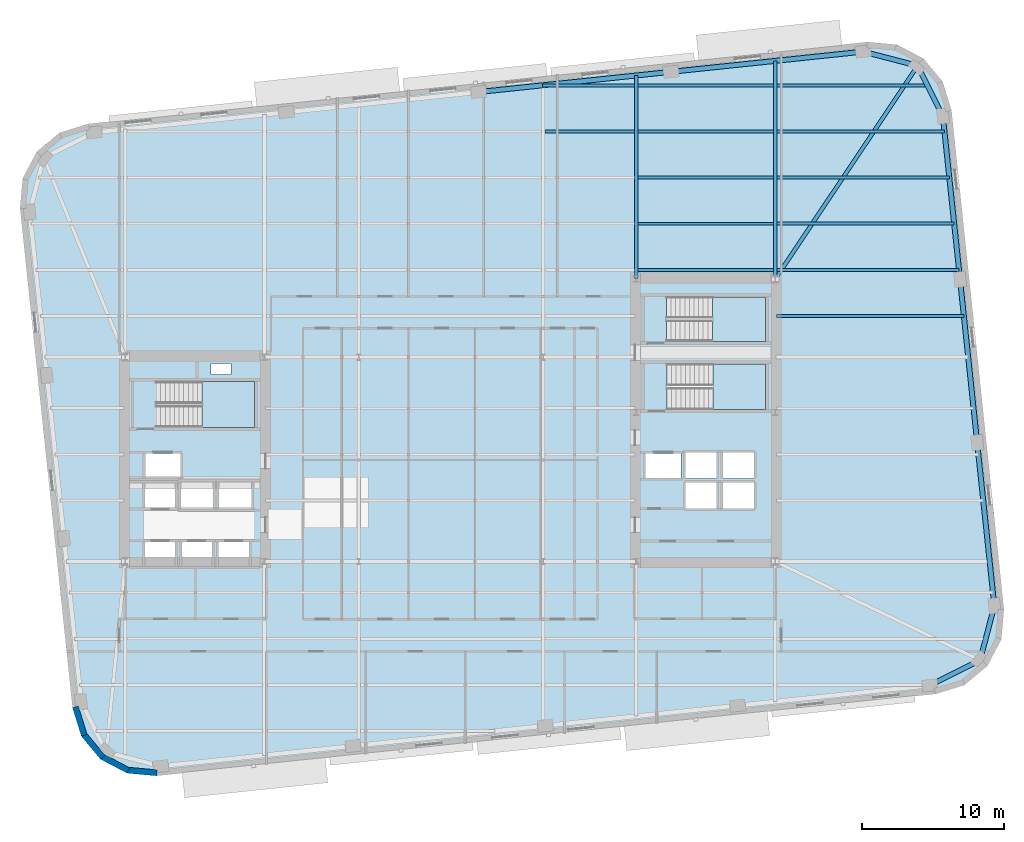
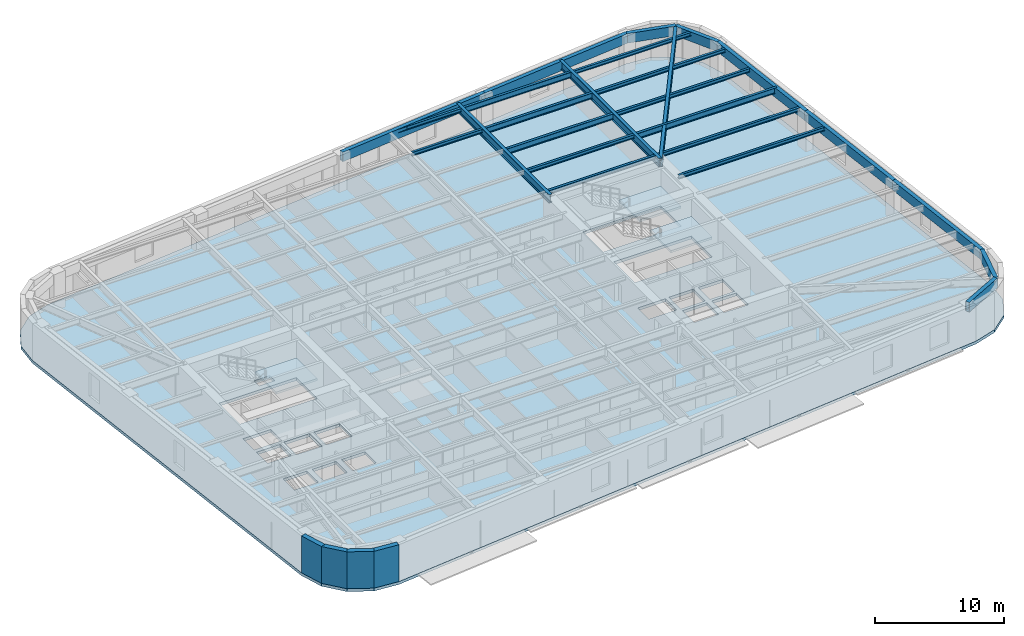
# One storey, part 3 of 13: 25 beams, 4 slabs, 4 walls, 3 elements without a shape of their own.
"""IFC4 building model written with IfcOpenShell, lengths in metres."""

import ifcopenshell
import ifcopenshell.guid

model = None  # the IFC model being written
_history = None  # IfcOwnerHistory: only IFC2X3 demands one
_inside = {}  # id of a spatial element -> (the spatial element, [elements in it])
_under = {}  # id of a project, library or spatial element -> (it, [spatial elements below it])
_declared = {}  # id of a project -> (the project, [libraries it declares])
_typed = {}  # id of a type object -> (the type object, [elements of that type])
_made_of = {}  # id of a material, layer set ... -> (it, [elements and type objects made of it])


def new_model(schema):
    """Start an empty IFC model of exactly this schema.

    Asked for "IFC4X3", IfcOpenShell would pick the latest addendum, in which some entities
    have other attributes; the version numbers below select the first issue.
    IFC2X3 requires an IfcOwnerHistory on every rooted entity: one is made here for all.
    """
    global model, _history
    if schema == "IFC4X3":
        model = ifcopenshell.file(schema_version=(4, 3, 0, 0))
    else:
        model = ifcopenshell.file(schema=schema)
    _inside.clear()
    _under.clear()
    _declared.clear()
    _typed.clear()
    _made_of.clear()
    _history = None
    if model.schema == "IFC2X3":
        org = make("IfcOrganization", Name="unknown")
        user = make(
            "IfcPersonAndOrganization",
            ThePerson=make("IfcPerson", FamilyName="unknown"),
            TheOrganization=org,
        )
        app = make(
            "IfcApplication",
            ApplicationDeveloper=org,
            Version="unknown",
            ApplicationFullName="unknown",
            ApplicationIdentifier="unknown",
        )
        _history = make(
            "IfcOwnerHistory",
            OwningUser=user,
            OwningApplication=app,
            ChangeAction="ADDED",
            CreationDate=0,
        )
    return model


def make(cls, **values):
    """One entity of the class cls with the attributes given. An attribute that is None is left unset."""
    return model.create_entity(
        cls, **{name: value for name, value in values.items() if value is not None}
    )


def rooted(cls, **values):
    """An entity with a GlobalId (a new one), such as an element, a storey or a relation."""
    return make(cls, GlobalId=ifcopenshell.guid.new(), OwnerHistory=_history, **values)


def si_unit(unit_type, name, prefix=None):
    """IfcSIUnit, for example si_unit("LENGTHUNIT", "METRE", prefix="MILLI")."""
    return make("IfcSIUnit", UnitType=unit_type, Prefix=prefix, Name=name)


def assignment(units):
    """IfcUnitAssignment: the units of a project."""
    return None if units is None else make("IfcUnitAssignment", Units=units)


def point(xyz):
    """IfcCartesianPoint."""
    return None if xyz is None else make("IfcCartesianPoint", Coordinates=xyz)


def direction(xyz):
    """IfcDirection."""
    return None if xyz is None else make("IfcDirection", DirectionRatios=xyz)


def frame(location, z_axis=None, x_axis=None):
    """IfcAxis2Placement3D, a coordinate frame: its origin and axes. An axis left out is left unset."""
    return make(
        "IfcAxis2Placement3D",
        Location=point(location),
        Axis=direction(z_axis),
        RefDirection=direction(x_axis),
    )


def frame_2d(location, x_axis=None):
    """IfcAxis2Placement2D, a coordinate frame in the plane: its origin and x axis."""
    return make(
        "IfcAxis2Placement2D", Location=point(location), RefDirection=direction(x_axis)
    )


def origin():
    """The frame at (0, 0, 0) with its axes left unset."""
    return frame((0.0, 0.0, 0.0))


def origin_2d():
    """The frame at (0, 0) in the plane with its x axis left unset."""
    return frame_2d((0.0, 0.0))


def place(relative_to, where):
    """IfcLocalPlacement: puts the frame where relative to a parent placement (None: the world)."""
    return make(
        "IfcLocalPlacement", PlacementRelTo=relative_to, RelativePlacement=where
    )


def context(
    kind, dimensions, precision=None, world=None, true_north=None, identifier=None
):
    """IfcGeometricRepresentationContext, for example the 3D "Model" context."""
    return make(
        "IfcGeometricRepresentationContext",
        ContextIdentifier=identifier,
        ContextType=kind,
        CoordinateSpaceDimension=dimensions,
        Precision=precision,
        WorldCoordinateSystem=world,
        TrueNorth=true_north,
    )


def subcontext(parent, identifier, kind, view, scale=None):
    """IfcGeometricRepresentationSubContext, for example "Body" below "Model"."""
    return make(
        "IfcGeometricRepresentationSubContext",
        ContextIdentifier=identifier,
        ContextType=kind,
        ParentContext=parent,
        TargetScale=scale,
        TargetView=view,
    )


def project(units=None, contexts=None):
    """IfcProject with its units and contexts."""
    return rooted(
        "IfcProject",
        Name="project",
        RepresentationContexts=contexts,
        UnitsInContext=assignment(units),
    )


def spatial(cls, under=None, at=None, **own):
    """A site, building, storey or space (cls), placed at a placement, below another one or the project."""
    s = rooted(cls, ObjectPlacement=at, **own)
    if under is not None:
        _under.setdefault(under.id(), (under, []))[1].append(s)
    return s


def polyline(points):
    """IfcPolyline through the points."""
    return make("IfcPolyline", Points=[point(p) for p in points])


def profile(cls, at=None, kind="AREA", **sizes):
    """A parametric profile (cls). Its sizes go by their IFC names, for example OverallWidth=200.0."""
    return make(cls, ProfileType=kind, Position=at, **sizes)


def rectangle(**sizes):
    """IfcRectangleProfileDef."""
    return profile("IfcRectangleProfileDef", **sizes)


def hollow_rectangle(**sizes):
    """IfcRectangleHollowProfileDef."""
    return profile("IfcRectangleHollowProfileDef", **sizes)


def i_section(**sizes):
    """IfcIShapeProfileDef."""
    return profile("IfcIShapeProfileDef", **sizes)


def outline(outer, holes=None, kind="AREA"):
    """IfcArbitraryClosedProfileDef: a profile drawn as a closed curve; with holes, ...WithVoids."""
    if holes is None:
        return make("IfcArbitraryClosedProfileDef", ProfileType=kind, OuterCurve=outer)
    return make(
        "IfcArbitraryProfileDefWithVoids",
        ProfileType=kind,
        OuterCurve=outer,
        InnerCurves=holes,
    )


def extrude(swept, where, along, depth):
    """IfcExtrudedAreaSolid: the profile swept, set in the frame where, extruded along a direction by depth."""
    return make(
        "IfcExtrudedAreaSolid",
        SweptArea=swept,
        Position=where,
        ExtrudedDirection=direction(along),
        Depth=depth,
    )


def shape(context_of_items, identifier, shape_type, items):
    """IfcShapeRepresentation: the items that make up one representation, for example the "Body"."""
    return make(
        "IfcShapeRepresentation",
        ContextOfItems=context_of_items,
        RepresentationIdentifier=identifier,
        RepresentationType=shape_type,
        Items=items,
    )


def material(Name=None, Category=None):
    """IfcMaterial."""
    return make("IfcMaterial", Name=Name, Category=Category)


def layer(
    of_material, thickness, ventilated=None, Name=None, Category=None, Priority=None
):
    """IfcMaterialLayer: one layer of a wall or slab, of a material (None: an air gap)."""
    return make(
        "IfcMaterialLayer",
        Material=of_material,
        LayerThickness=thickness,
        IsVentilated=ventilated,
        Name=Name,
        Category=Category,
        Priority=Priority,
    )


def layer_set(layers, Name=None):
    """IfcMaterialLayerSet."""
    return make("IfcMaterialLayerSet", MaterialLayers=layers, LayerSetName=Name)


def material_profile(
    of_material, cross_section, Name=None, Category=None, Priority=None
):
    """IfcMaterialProfile: a cross section and its material."""
    return make(
        "IfcMaterialProfile",
        Name=Name,
        Material=of_material,
        Profile=cross_section,
        Priority=Priority,
        Category=Category,
    )


def profile_set(profiles, Name=None, composite=None):
    """IfcMaterialProfileSet."""
    return make(
        "IfcMaterialProfileSet",
        Name=Name,
        MaterialProfiles=profiles,
        CompositeProfile=composite,
    )


def made_of(thing, what):
    """Note that an element or type object is made of a material, layer set ...; save() writes the relation."""
    if what is not None:
        _made_of.setdefault(what.id(), (what, []))[1].append(thing)
    return thing


def type_object(cls, material=None, **own):
    """A type object (cls), such as IfcWallType, which elements share."""
    return made_of(rooted(cls, **own), material)


def element(
    cls,
    number,
    at=None,
    inside=None,
    cuts=None,
    type_object=None,
    material=None,
    context=None,
    identifier="Body",
    shape_type=None,
    held_by="IfcProductDefinitionShape",
    body=None,
    shapes=None,
    **own,
):
    """One element of the class cls, such as IfcWall. Its Tag is "e" and its number.

    at: its placement. inside: the storey or other place that contains it. cuts: it is an
    opening in that element (IfcRelVoidsElement). A single representation is given by context,
    identifier, shape_type and body (its items); several are given by shapes. held_by: the class
    of the entity that holds the representations. save() writes the other relations.
    """
    e = rooted(cls, Tag="e%d" % number, ObjectPlacement=at, **own)
    if body is not None:
        shapes = [shape(context, identifier, shape_type, body)]
    if shapes is not None:
        e.Representation = make(held_by, Representations=shapes)
    if inside is not None:
        _inside.setdefault(inside.id(), (inside, []))[1].append(e)
    if cuts is not None:
        rooted(
            "IfcRelVoidsElement", RelatingBuildingElement=cuts, RelatedOpeningElement=e
        )
    if type_object is not None:
        _typed.setdefault(type_object.id(), (type_object, []))[1].append(e)
    return made_of(e, material)


def aggregate(whole, parts):
    """IfcRelAggregates: a whole, such as a stair, and the parts it consists of."""
    return rooted("IfcRelAggregates", RelatingObject=whole, RelatedObjects=parts)


def save(model, path):
    """Write the relations noted so far, then the file.

    IfcRelAggregates (storeys below a building ...), IfcRelContainedInSpatialStructure (elements
    in a storey), IfcRelDefinesByType, IfcRelAssociatesMaterial and IfcRelDeclares: one each for
    every whole, place, type object, material and project.
    """
    for whole, parts in _under.values():
        aggregate(whole, parts)
    for where, things in _inside.values():
        rooted(
            "IfcRelContainedInSpatialStructure",
            RelatedElements=things,
            RelatingStructure=where,
        )
    for kind, things in _typed.values():
        rooted("IfcRelDefinesByType", RelatedObjects=things, RelatingType=kind)
    for what, things in _made_of.values():
        rooted("IfcRelAssociatesMaterial", RelatedObjects=things, RelatingMaterial=what)
    for by, libraries in _declared.values():
        rooted("IfcRelDeclares", RelatingContext=by, RelatedDefinitions=libraries)
    model.write(path)


model = new_model("IFC4")

# Units and contexts
model_context = context("Model", 3, precision=1e-05, world=origin(), true_north=direction((0.0, 1.0)))
body_context = subcontext(model_context, "Body", "Model", "MODEL_VIEW")
ifc_project = project(units=[si_unit("LENGTHUNIT", "METRE"), si_unit("AREAUNIT", "SQUARE_METRE"), si_unit("VOLUMEUNIT", "CUBIC_METRE"), si_unit("PLANEANGLEUNIT", "RADIAN"), si_unit("MASSUNIT", "GRAM", prefix="KILO")], contexts=[model_context])

# Site, building, storey
site_placement = place(None, origin())
site = spatial("IfcSite", under=ifc_project, at=site_placement, CompositionType="ELEMENT")
building_placement = place(site_placement, origin())
building = spatial("IfcBuilding", under=site, at=building_placement, Name="Kolvaren Arena Tower", CompositionType="ELEMENT")
storey_placement = place(building_placement, frame((0.0, 0.0, 145.75)))
storey = spatial("IfcBuildingStorey", under=building, at=storey_placement, Name="L34", CompositionType="ELEMENT", Elevation=145.75)

# Beams
ifc_material_1 = material(Name="Steel CSA G40.21 350W", Category="steel")
ifc_material_profile_1 = material_profile(ifc_material_1, i_section(OverallWidth=0.2119140625, OverallDepth=0.54296875, WebThickness=0.01318359375, FlangeThickness=0.0244140625, FilletRadius=0.013916015625, at=origin_2d()), Name="W530x150")
ifc_profile_set_1 = profile_set([ifc_material_profile_1], Name="Steel CSA G40.21 350W")
beam_type_1 = type_object("IfcBeamType", Name="BEAM-F1", PredefinedType="BEAM", material=ifc_profile_set_1)
beam_1_placement = place(storey_placement, frame((60.485107421875, 43.25, 3.20849609375), z_axis=(1.0, 0.0, 0.0), x_axis=(0.0, 1.0, 0.0)))
element("IfcBeam", 1, at=beam_1_placement, inside=storey, type_object=beam_type_1, Name="Composite Floor Beam (L34)", PredefinedType="BEAM", context=body_context, shape_type="SweptSolid", body=[
    extrude(i_section(OverallWidth=0.2119140625, OverallDepth=0.54296875, WebThickness=0.01318359375, FlangeThickness=0.0244140625, FilletRadius=0.013916015625, at=origin_2d()), origin(), (0.0, 0.0, 1.0), 12.471435546875),
])
for number, where, z_axis, x_axis, name in (
    (2, (50.68505859375, 46.5, 3.20849609375), (1.0, 0.0, 0.0), (0.0, 1.0, 0.0), "Composite Floor Beam (L34)"),
    (3, (50.68505859375, 49.75, 3.20849609375), (1.0, 0.0, 0.0), (0.0, 1.0, 0.0), "Composite Floor Beam (L34)"),
    (4, (50.68505859375, 53.0, 3.20849609375), (1.0, 0.0, 0.0), (0.0, 1.0, 0.0), "Composite Floor Beam (L34)"),
):
    element("IfcBeam", number, at=place(storey_placement, frame(where, z_axis=z_axis, x_axis=x_axis)), inside=storey, type_object=beam_type_1, Name=name, PredefinedType="BEAM", context=body_context, shape_type="SweptSolid", body=[
        extrude(i_section(OverallWidth=0.2119140625, OverallDepth=0.54296875, WebThickness=0.01318359375, FlangeThickness=0.0244140625, FilletRadius=0.013916015625, at=origin_2d()), origin(), (0.0, 0.0, 1.0), 9.530029296875),
    ])
ifc_material_profile_2 = material_profile(ifc_material_1, i_section(OverallWidth=0.27001953125, OverallDepth=0.77294921875, WebThickness=0.019287109375, FlangeThickness=0.033447265625, FilletRadius=0.01806640625, at=origin_2d()), Name="W760x257")
ifc_profile_set_2 = profile_set([ifc_material_profile_2], Name="Steel CSA G40.21 350W")
beam_type_2 = type_object("IfcBeamType", Name="GIRD-T1", PredefinedType="BEAM", material=ifc_profile_set_2)
beam_2_placement = place(storey_placement, frame((70.387939453125, 54.37939453125, 3.093505859375), z_axis=(-0.555401401293, -0.831582397266, 0.0), x_axis=(0.831582397266, -0.555401401293, 0.0)))
element("IfcBeam", 5, at=beam_2_placement, inside=storey, type_object=beam_type_2, Name="Corner Diagonal Tie Girder (L34)", PredefinedType="BEAM", context=body_context, shape_type="SweptSolid", body=[
    extrude(i_section(OverallWidth=0.27001953125, OverallDepth=0.77294921875, WebThickness=0.019287109375, FlangeThickness=0.033447265625, FilletRadius=0.01806640625, at=origin_2d()), origin(), (0.0, 0.0, 1.0), 18.0732421875),
])
beam_3_placement = place(storey_placement, frame((50.550048828125, 39.405029296875, 3.093505859375), z_axis=(0.0, 1.0, 0.0), x_axis=(-1.0, 0.0, 0.0)))
element("IfcBeam", 6, at=beam_3_placement, inside=storey, type_object=beam_type_2, Name="Primary Floor Girder (L34)", PredefinedType="BEAM", context=body_context, shape_type="SweptSolid", body=[
    extrude(i_section(OverallWidth=0.27001953125, OverallDepth=0.77294921875, WebThickness=0.019287109375, FlangeThickness=0.033447265625, FilletRadius=0.01806640625, at=origin_2d()), origin(), (0.0, 0.0, 1.0), 14.288330078125),
])
beam_4_placement = place(storey_placement, frame((60.35009765625, 39.405029296875, 3.093505859375), z_axis=(0.0, 1.0, 0.0), x_axis=(-1.0, 0.0, 0.0)))
element("IfcBeam", 7, at=beam_4_placement, inside=storey, type_object=beam_type_2, Name="Primary Floor Girder (L34)", PredefinedType="BEAM", context=body_context, shape_type="SweptSolid", body=[
    extrude(i_section(OverallWidth=0.27001953125, OverallDepth=0.77294921875, WebThickness=0.019287109375, FlangeThickness=0.033447265625, FilletRadius=0.01806640625, at=origin_2d()), origin(), (0.0, 0.0, 1.0), 15.318359375),
])
ifc_material_profile_3 = material_profile(ifc_material_1, i_section(OverallWidth=0.202880859375, OverallDepth=0.346923828125, WebThickness=0.0078125, FlangeThickness=0.013427734375, FilletRadius=0.010986328125, at=origin_2d()), Name="W360x64")
ifc_profile_set_3 = profile_set([ifc_material_profile_3], Name="Steel CSA G40.21 350W")
beam_type_3 = type_object("IfcBeamType", Name="JOIST-01", PredefinedType="JOIST", material=ifc_profile_set_3)
beam_5_placement = place(storey_placement, frame((60.445068359375, 36.75, 3.306396484375), z_axis=(1.0, 0.0, 0.0), x_axis=(0.0, 1.0, 0.0)))
element("IfcBeam", 8, at=beam_5_placement, inside=storey, type_object=beam_type_3, Name="Composite Floor Joist (L34)", PredefinedType="JOIST", context=body_context, shape_type="SweptSolid", body=[
    extrude(i_section(OverallWidth=0.202880859375, OverallDepth=0.346923828125, WebThickness=0.0078125, FlangeThickness=0.013427734375, FilletRadius=0.010986328125, at=origin_2d()), origin(), (0.0, 0.0, 1.0), 13.19482421875),
])
beam_6_placement = place(storey_placement, frame((50.68505859375, 40.0, 3.306396484375), z_axis=(1.0, 0.0, 0.0), x_axis=(0.0, 1.0, 0.0)))
element("IfcBeam", 9, at=beam_6_placement, inside=storey, type_object=beam_type_3, Name="Composite Floor Joist (L34)", PredefinedType="JOIST", context=body_context, shape_type="SweptSolid", body=[
    extrude(i_section(OverallWidth=0.202880859375, OverallDepth=0.346923828125, WebThickness=0.0078125, FlangeThickness=0.013427734375, FilletRadius=0.010986328125, at=origin_2d()), origin(), (0.0, 0.0, 1.0), 9.530029296875),
])
beam_7_placement = place(storey_placement, frame((60.485107421875, 40.0, 3.306396484375), z_axis=(1.0, 0.0, 0.0), x_axis=(0.0, 1.0, 0.0)))
element("IfcBeam", 10, at=beam_7_placement, inside=storey, type_object=beam_type_3, Name="Composite Floor Joist (L34)", PredefinedType="JOIST", context=body_context, shape_type="SweptSolid", body=[
    extrude(i_section(OverallWidth=0.202880859375, OverallDepth=0.346923828125, WebThickness=0.0078125, FlangeThickness=0.013427734375, FilletRadius=0.010986328125, at=origin_2d()), origin(), (0.0, 0.0, 1.0), 12.81298828125),
])
beam_8_placement = place(storey_placement, frame((50.68505859375, 43.25, 3.306396484375), z_axis=(1.0, 0.0, 0.0), x_axis=(0.0, 1.0, 0.0)))
element("IfcBeam", 11, at=beam_8_placement, inside=storey, type_object=beam_type_3, Name="Composite Floor Joist (L34)", PredefinedType="JOIST", context=body_context, shape_type="SweptSolid", body=[
    extrude(i_section(OverallWidth=0.202880859375, OverallDepth=0.346923828125, WebThickness=0.0078125, FlangeThickness=0.013427734375, FilletRadius=0.010986328125, at=origin_2d()), origin(), (0.0, 0.0, 1.0), 9.530029296875),
])
beam_9_placement = place(storey_placement, frame((60.485107421875, 46.5, 3.306396484375), z_axis=(1.0, 0.0, 0.0), x_axis=(0.0, 1.0, 0.0)))
element("IfcBeam", 12, at=beam_9_placement, inside=storey, type_object=beam_type_3, Name="Composite Floor Joist (L34)", PredefinedType="JOIST", context=body_context, shape_type="SweptSolid", body=[
    extrude(i_section(OverallWidth=0.202880859375, OverallDepth=0.346923828125, WebThickness=0.0078125, FlangeThickness=0.013427734375, FilletRadius=0.010986328125, at=origin_2d()), origin(), (0.0, 0.0, 1.0), 12.1298828125),
])
beam_10_placement = place(storey_placement, frame((44.135009765625, 49.75, 3.306396484375), z_axis=(1.0, 0.0, 0.0), x_axis=(0.0, 1.0, 0.0)))
element("IfcBeam", 13, at=beam_10_placement, inside=storey, type_object=beam_type_3, Name="Composite Floor Joist (L34)", PredefinedType="JOIST", context=body_context, shape_type="SweptSolid", body=[
    extrude(i_section(OverallWidth=0.202880859375, OverallDepth=0.346923828125, WebThickness=0.0078125, FlangeThickness=0.013427734375, FilletRadius=0.010986328125, at=origin_2d()), origin(), (0.0, 0.0, 1.0), 6.280029296875),
])
beam_11_placement = place(storey_placement, frame((60.485107421875, 49.75, 3.306396484375), z_axis=(1.0, 0.0, 0.0), x_axis=(0.0, 1.0, 0.0)))
element("IfcBeam", 14, at=beam_11_placement, inside=storey, type_object=beam_type_3, Name="Composite Floor Joist (L34)", PredefinedType="JOIST", context=body_context, shape_type="SweptSolid", body=[
    extrude(i_section(OverallWidth=0.202880859375, OverallDepth=0.346923828125, WebThickness=0.0078125, FlangeThickness=0.013427734375, FilletRadius=0.010986328125, at=origin_2d()), origin(), (0.0, 0.0, 1.0), 11.788330078125),
])
beam_12_placement = place(storey_placement, frame((43.95361328125, 53.0, 3.306396484375), z_axis=(1.0, 0.0, 0.0), x_axis=(0.0, 1.0, 0.0)))
element("IfcBeam", 15, at=beam_12_placement, inside=storey, type_object=beam_type_3, Name="Composite Floor Joist (L34)", PredefinedType="JOIST", context=body_context, shape_type="SweptSolid", body=[
    extrude(i_section(OverallWidth=0.202880859375, OverallDepth=0.346923828125, WebThickness=0.0078125, FlangeThickness=0.013427734375, FilletRadius=0.010986328125, at=origin_2d()), origin(), (0.0, 0.0, 1.0), 6.46142578125),
])
beam_13_placement = place(storey_placement, frame((60.485107421875, 53.0, 3.306396484375), z_axis=(1.0, 0.0, 0.0), x_axis=(0.0, 1.0, 0.0)))
element("IfcBeam", 16, at=beam_13_placement, inside=storey, type_object=beam_type_3, Name="Composite Floor Joist (L34)", PredefinedType="JOIST", context=body_context, shape_type="SweptSolid", body=[
    extrude(i_section(OverallWidth=0.202880859375, OverallDepth=0.346923828125, WebThickness=0.0078125, FlangeThickness=0.013427734375, FilletRadius=0.010986328125, at=origin_2d()), origin(), (0.0, 0.0, 1.0), 10.592529296875),
])
ifc_material_2 = material(Name="Steel CSA G40.21 350WT", Category="steel")
ifc_material_profile_4 = material_profile(ifc_material_2, hollow_rectangle(XDim=0.35009765625, YDim=0.89990234375, WallThickness=0.02001953125, at=origin_2d()), Name="HSS 900x350x20")
ifc_profile_set_4 = profile_set([ifc_material_profile_4], Name="Steel CSA G40.21 350WT")
beam_type_4 = type_object("IfcBeamType", Name="SPAND-01", PredefinedType="SPANDREL", material=ifc_profile_set_4)
for number, where, z_axis, x_axis, name in (
    (17, (71.247314453125, 10.721435546875, 3.030029296875), (0.894451843771, 0.44716428656, 0.0), (-0.44716428656, 0.894451843771, 0.0), "Perimeter Spandrel Beam (L34)"),
    (18, (74.790283203125, 12.49267578125, 3.030029296875), (0.251473350892, 0.967864222808, 0.0), (-0.967864222808, 0.251473350892, 0.0), "Perimeter Spandrel Beam (L34)"),
):
    element("IfcBeam", number, at=place(storey_placement, frame(where, z_axis=z_axis, x_axis=x_axis)), inside=storey, type_object=beam_type_4, Name=name, PredefinedType="SPANDREL", context=body_context, shape_type="SweptSolid", body=[
        extrude(hollow_rectangle(XDim=0.35009765625, YDim=0.89990234375, WallThickness=0.02001953125, at=origin_2d()), origin(), (0.0, 0.0, 1.0), 3.9609375),
    ])
beam_14_placement = place(storey_placement, frame((75.786376953125, 16.326416015625, 3.030029296875), z_axis=(-0.104522171998, 0.994522556587, 0.0), x_axis=(-0.994522556587, -0.104522171998, 0.0)))
element("IfcBeam", 19, at=beam_14_placement, inside=storey, type_object=beam_type_4, Name="Perimeter Spandrel Beam (L34)", PredefinedType="SPANDREL", context=body_context, shape_type="SweptSolid", body=[
    extrude(hollow_rectangle(XDim=0.35009765625, YDim=0.89990234375, WallThickness=0.02001953125, at=origin_2d()), origin(), (0.0, 0.0, 1.0), 11.56689453125),
])
beam_15_placement = place(storey_placement, frame((74.577392578125, 27.829833984375, 3.030029296875), z_axis=(-0.104524366116, 0.994522325988, 0.0), x_axis=(-0.994522325988, -0.104524366116, 0.0)))
element("IfcBeam", 20, at=beam_15_placement, inside=storey, type_object=beam_type_4, Name="Perimeter Spandrel Beam (L34)", PredefinedType="SPANDREL", context=body_context, shape_type="SweptSolid", body=[
    extrude(hollow_rectangle(XDim=0.35009765625, YDim=0.89990234375, WallThickness=0.02001953125, at=origin_2d()), origin(), (0.0, 0.0, 1.0), 11.566650390625),
])
beam_16_placement = place(storey_placement, frame((73.368408203125, 39.3330078125, 3.030029296875), z_axis=(-0.104543048399, 0.994520362301, 0.0), x_axis=(-0.994520362301, -0.104543048399, 0.0)))
element("IfcBeam", 21, at=beam_16_placement, inside=storey, type_object=beam_type_4, Name="Perimeter Spandrel Beam (L34)", PredefinedType="SPANDREL", context=body_context, shape_type="SweptSolid", body=[
    extrude(hollow_rectangle(XDim=0.35009765625, YDim=0.89990234375, WallThickness=0.02001953125, at=origin_2d()), origin(), (0.0, 0.0, 1.0), 11.56689453125),
])
for number, where, z_axis, x_axis, name in (
    (22, (72.1591796875, 50.83642578125, 3.030029296875), (-0.44716428656, 0.894451843771, 0.0), (-0.894451843771, -0.44716428656, 0.0), "Perimeter Spandrel Beam (L34)"),
    (23, (70.387939453125, 54.37939453125, 3.030029296875), (-0.967864222808, 0.251473350892, 0.0), (-0.251473350892, -0.967864222808, 0.0), "Perimeter Spandrel Beam (L34)"),
):
    element("IfcBeam", number, at=place(storey_placement, frame(where, z_axis=z_axis, x_axis=x_axis)), inside=storey, type_object=beam_type_4, Name=name, PredefinedType="SPANDREL", context=body_context, shape_type="SweptSolid", body=[
        extrude(hollow_rectangle(XDim=0.35009765625, YDim=0.89990234375, WallThickness=0.02001953125, at=origin_2d()), origin(), (0.0, 0.0, 1.0), 3.9609375),
    ])
beam_17_placement = place(storey_placement, frame((66.55419921875, 55.37548828125, 3.030029296875), z_axis=(-0.994521150946, -0.104535545729, 0.0), x_axis=(0.104535545729, -0.994521150946, 0.0)))
element("IfcBeam", 24, at=beam_17_placement, inside=storey, type_object=beam_type_4, Name="Perimeter Spandrel Beam (L34)", PredefinedType="SPANDREL", context=body_context, shape_type="SweptSolid", body=[
    extrude(hollow_rectangle(XDim=0.35009765625, YDim=0.89990234375, WallThickness=0.02001953125, at=origin_2d()), origin(), (0.0, 0.0, 1.0), 13.625244140625),
])
beam_18_placement = place(storey_placement, frame((53.003662109375, 53.951171875, 3.030029296875), z_axis=(-0.994522817887, -0.104519685718, 0.0), x_axis=(0.104519685718, -0.994522817887, 0.0)))
element("IfcBeam", 25, at=beam_18_placement, inside=storey, type_object=beam_type_4, Name="Perimeter Spandrel Beam (L34)", PredefinedType="SPANDREL", context=body_context, shape_type="SweptSolid", body=[
    extrude(hollow_rectangle(XDim=0.35009765625, YDim=0.89990234375, WallThickness=0.02001953125, at=origin_2d()), origin(), (0.0, 0.0, 1.0), 13.625),
])

# Stair, slab
ifc_material_3 = material(Name="Concrete 45 MPa", Category="concrete")
stair_type_1 = type_object("IfcStairType", Name="STAIR-CORE-165", PredefinedType="HALF_TURN_STAIR", material=ifc_material_3)
stair_1_placement = place(storey_placement, origin())
stair_1 = element("IfcStair", 26, at=stair_1_placement, inside=storey, type_object=stair_type_1, Name="L34 ST-W1", PredefinedType="HALF_TURN_STAIR")
ifc_layer_1 = layer(ifc_material_3, 0.199951171875)
ifc_layer_set_1 = layer_set([ifc_layer_1], Name="Concrete 45 MPa")
slab_type_1 = type_object("IfcSlabType", Name="SLAB-LAND", PredefinedType="LANDING", material=ifc_layer_set_1)
slab_1_placement = place(storey_placement, frame((0.0, 0.0, 1.675048828125)))
slab_1 = element("IfcSlab", 27, at=slab_1_placement, type_object=slab_type_1, Name="ST-W1 landing 1", PredefinedType="LANDING", context=body_context, shape_type="SweptSolid", body=[
    extrude(outline(polyline([(19.9599609375, 28.89990234375), (23.659912109375, 28.89990234375), (23.659912109375, 32.1298828125), (19.9599609375, 32.1298828125), (19.9599609375, 28.89990234375)])), origin(), (0.0, 0.0, 1.0), 0.199951171875),
])
aggregate(stair_1, [slab_1])

stair_2_placement = place(storey_placement, origin())
stair_2 = element("IfcStair", 28, at=stair_2_placement, inside=storey, type_object=stair_type_1, Name="L34 ST-E1", PredefinedType="HALF_TURN_STAIR")
slab_2_placement = place(storey_placement, frame((0.0, 0.0, 1.675048828125)))
slab_2 = element("IfcSlab", 29, at=slab_2_placement, type_object=slab_type_1, Name="ST-E1 landing 1", PredefinedType="LANDING", context=body_context, shape_type="SweptSolid", body=[
    extrude(outline(polyline([(55.9599609375, 30.14990234375), (59.659912109375, 30.14990234375), (59.659912109375, 33.3798828125), (55.9599609375, 33.3798828125), (55.9599609375, 30.14990234375)])), origin(), (0.0, 0.0, 1.0), 0.199951171875),
])
aggregate(stair_2, [slab_2])

stair_type_2 = type_object("IfcStairType", Name="STAIR-CORE-150", PredefinedType="HALF_TURN_STAIR", material=ifc_material_3)
stair_3_placement = place(storey_placement, origin())
stair_3 = element("IfcStair", 30, at=stair_3_placement, inside=storey, type_object=stair_type_2, Name="L34 ST-E2", PredefinedType="HALF_TURN_STAIR")
slab_3_placement = place(storey_placement, frame((0.0, 0.0, 1.675048828125)))
slab_3 = element("IfcSlab", 31, at=slab_3_placement, type_object=slab_type_1, Name="ST-E2 landing 1", PredefinedType="LANDING", context=body_context, shape_type="SweptSolid", body=[
    extrude(outline(polyline([(55.919921875, 34.949951171875), (59.659912109375, 34.949951171875), (59.659912109375, 38.10009765625), (55.919921875, 38.10009765625), (55.919921875, 34.949951171875)])), origin(), (0.0, 0.0, 1.0), 0.199951171875),
])
aggregate(stair_3, [slab_3])

# Slab
ifc_layer_2 = layer(ifc_material_3, 0.27001953125)
ifc_layer_set_2 = layer_set([ifc_layer_2], Name="Concrete 45 MPa")
slab_type_2 = type_object("IfcSlabType", Name="SLAB-OFF2", PredefinedType="FLOOR", material=ifc_layer_set_2)
slab_4_placement = place(storey_placement, frame((0.0, 0.0, -0.27001953125)))
element("IfcSlab", 32, at=slab_4_placement, inside=storey, type_object=slab_type_2, Name="L34 Primary Structural Slab", PredefinedType="FLOOR", context=body_context, shape_type="SweptSolid", body=[
    extrude(outline(polyline([(71.663330078125, 10.111572265625), (73.675537109375, 10.736328125), (75.29541015625, 12.08349609375), (76.276611328125, 13.9482421875), (76.469482421875, 16.04638671875), (72.76904296875, 51.25244140625), (72.144287109375, 53.2646484375), (70.797119140625, 54.884521484375), (68.932373046875, 55.865478515625), (66.834228515625, 56.058349609375), (11.9365234375, 50.28857421875), (9.92431640625, 49.663818359375), (8.304443359375, 48.31640625), (7.323486328125, 46.45166015625), (7.130615234375, 44.353515625), (10.830810546875, 9.1474609375), (11.455810546875, 7.13525390625), (12.802978515625, 5.515380859375), (14.667724609375, 4.534423828125), (16.765869140625, 4.341552734375), (71.663330078125, 10.111572265625)]), holes=[polyline([(15.93505859375, 19.0849609375), (15.93505859375, 20.81494140625), (18.06494140625, 20.81494140625), (18.06494140625, 19.0849609375), (15.93505859375, 19.0849609375)]), polyline([(18.534912109375, 19.0849609375), (18.534912109375, 20.81494140625), (20.6650390625, 20.81494140625), (20.6650390625, 19.0849609375), (18.534912109375, 19.0849609375)]), polyline([(21.135009765625, 19.0849609375), (21.135009765625, 20.81494140625), (23.264892578125, 20.81494140625), (23.264892578125, 19.0849609375), (21.135009765625, 19.0849609375)]), polyline([(18.4599609375, 23.135009765625), (18.4599609375, 25.06494140625), (20.739990234375, 25.06494140625), (20.739990234375, 23.135009765625), (18.4599609375, 23.135009765625)]), polyline([(21.159912109375, 23.135009765625), (21.159912109375, 25.06494140625), (23.43994140625, 25.06494140625), (23.43994140625, 23.135009765625), (21.159912109375, 23.135009765625)]), polyline([(54.030029296875, 23.18505859375), (54.030029296875, 25.014892578125), (56.2099609375, 25.014892578125), (56.2099609375, 23.18505859375), (54.030029296875, 23.18505859375)]), polyline([(56.669921875, 23.18505859375), (56.669921875, 25.014892578125), (58.85009765625, 25.014892578125), (58.85009765625, 23.18505859375), (56.669921875, 23.18505859375)]), polyline([(15.93505859375, 23.235107421875), (15.93505859375, 24.965087890625), (18.06494140625, 24.965087890625), (18.06494140625, 23.235107421875), (15.93505859375, 23.235107421875)]), polyline([(54.030029296875, 25.284912109375), (54.030029296875, 27.114990234375), (56.2099609375, 27.114990234375), (56.2099609375, 25.284912109375), (54.030029296875, 25.284912109375)]), polyline([(56.669921875, 25.284912109375), (56.669921875, 27.114990234375), (58.85009765625, 27.114990234375), (58.85009765625, 25.284912109375), (56.669921875, 25.284912109375)]), polyline([(15.9599609375, 25.3349609375), (15.9599609375, 27.06494140625), (18.43994140625, 27.06494140625), (18.43994140625, 25.3349609375), (15.9599609375, 25.3349609375)]), polyline([(51.219970703125, 25.3349609375), (51.219970703125, 27.06494140625), (53.699951171875, 27.06494140625), (53.699951171875, 25.3349609375), (51.219970703125, 25.3349609375)]), polyline([(16.735107421875, 28.89990234375), (16.735107421875, 32.1298828125), (23.659912109375, 32.1298828125), (23.659912109375, 28.89990234375), (16.735107421875, 28.89990234375)]), polyline([(52.735107421875, 30.14990234375), (52.735107421875, 33.3798828125), (59.659912109375, 33.3798828125), (59.659912109375, 30.14990234375), (52.735107421875, 30.14990234375)]), polyline([(20.60009765625, 32.6201171875), (20.60009765625, 33.39990234375), (22.0, 33.39990234375), (22.0, 32.6201171875), (20.60009765625, 32.6201171875)]), polyline([(52.695068359375, 34.949951171875), (52.695068359375, 38.10009765625), (59.659912109375, 38.10009765625), (59.659912109375, 34.949951171875), (52.695068359375, 34.949951171875)])]), origin(), (0.0, 0.0, 1.0), 0.27001953125),
])

# Walls
ifc_material_4 = material(Name="Precast concrete C50/60", Category="concrete")
ifc_layer_3 = layer(ifc_material_4, 0.419921875)
ifc_layer_set_3 = layer_set([ifc_layer_3], Name="Precast concrete C50/60")
wall_type = type_object("IfcWallType", Name="EXT-PIER1", PredefinedType="SOLIDWALL", material=ifc_layer_set_3)
for number, where, z_axis, x_axis, name in (
    (33, (11.65625, 7.197509765625, 0.0), (0.0, 0.0, 1.0), (-0.296519484366, 0.955026803494, 0.0), "Exterior Precast Masonry-Frame Wall (L34)"),
    (34, (12.964599609375, 5.649658203125, 0.0), (0.0, 0.0, 1.0), (-0.639488914921, 0.768800317178, 0.0), "Exterior Precast Masonry-Frame Wall (L34)"),
    (35, (14.765380859375, 4.72021484375, 0.0), (0.0, 0.0, 1.0), (-0.884940843444, 0.465703450282, 0.0), "Exterior Precast Masonry-Frame Wall (L34)"),
):
    element("IfcWall", number, at=place(storey_placement, frame(where, z_axis=z_axis, x_axis=x_axis)), inside=storey, type_object=wall_type, Name=name, PredefinedType="SOLIDWALL", context=body_context, shape_type="SweptSolid", body=[
        extrude(rectangle(XDim=2.10693359375, YDim=0.419921875, at=frame_2d((1.053466796875, 0.0))), origin(), (0.0, 0.0, 1.0), 3.47998046875),
    ])
wall_placement = place(storey_placement, frame((16.784912109375, 4.55078125, 0.0), z_axis=(0.0, 0.0, 1.0), x_axis=(-0.995811110714, 0.091434303078, 0.0)))
element("IfcWall", 36, at=wall_placement, inside=storey, type_object=wall_type, Name="Exterior Precast Masonry-Frame Wall (L34)", PredefinedType="SOLIDWALL", context=body_context, shape_type="SweptSolid", body=[
    extrude(rectangle(XDim=2.106689453125, YDim=0.419921875, at=frame_2d((1.05322265625, 0.0))), origin(), (0.0, 0.0, 1.0), 3.47998046875),
])

save(model, "model.ifc")
